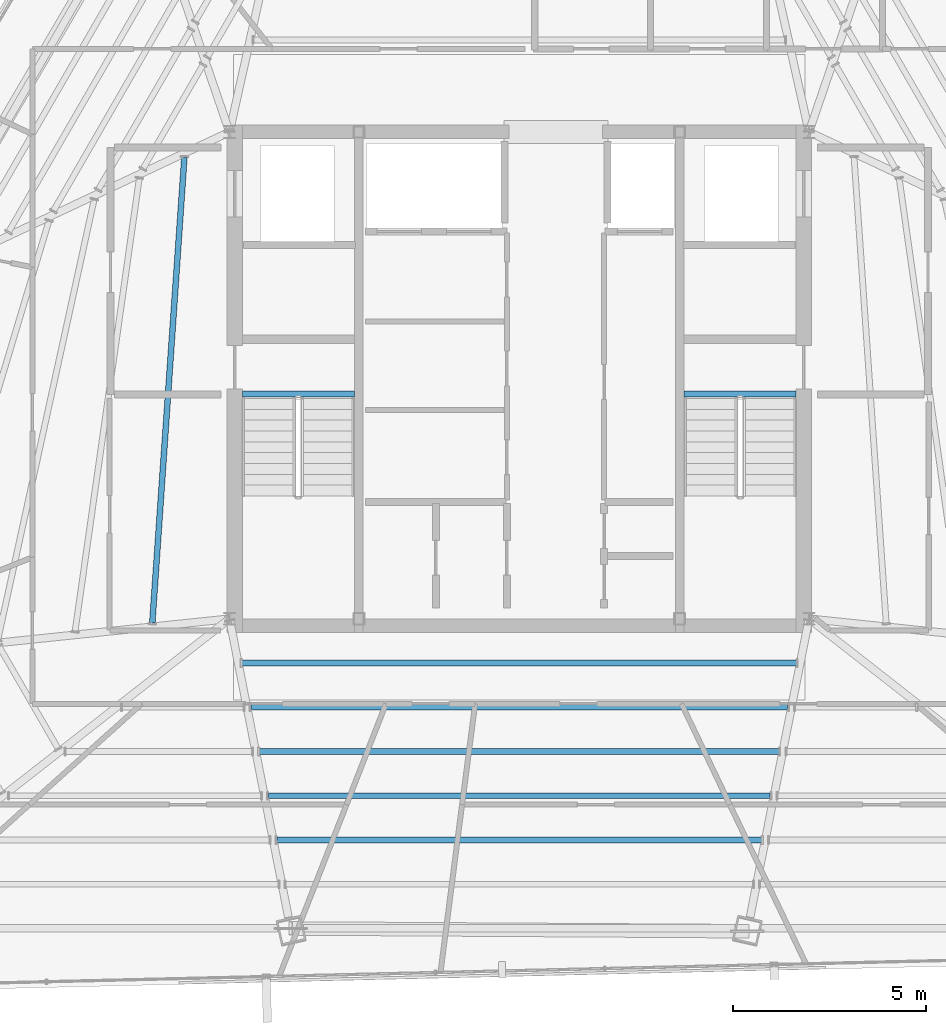
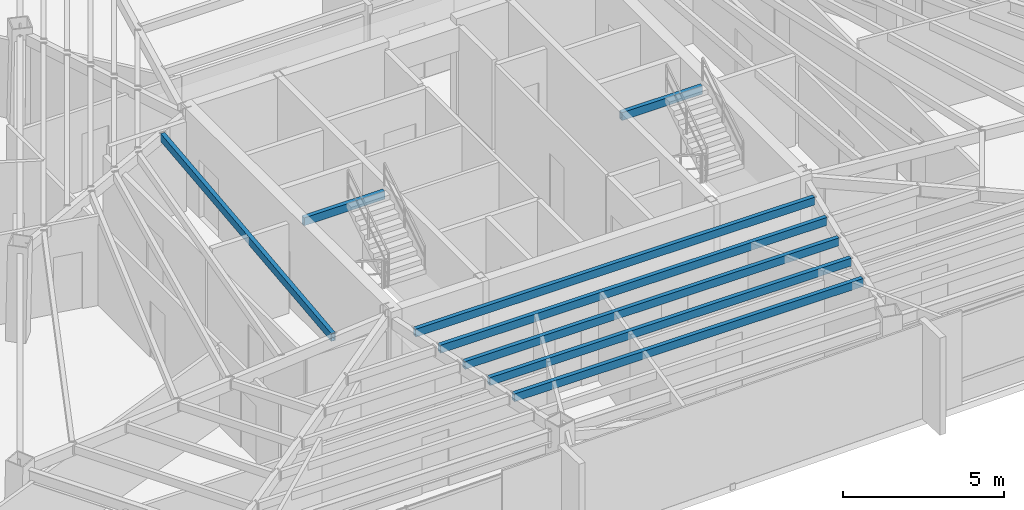
# One storey, part 14 of 47: 8 beams.
"""IFC4 building model written with IfcOpenShell, lengths in metres."""

from ifc_helpers import new_model, si_unit, direction, frame, origin, origin_2d, place, context, subcontext, project, spatial, hollow_rectangle, extrude, source, transform, mapped, material, material_profile, profile_set, type_object, type_shapes, element, save


model = new_model("IFC4")

# Units and contexts
model_context = context("Model", 3, precision=1e-05, world=origin(), true_north=direction((0.0, 1.0)))
body_context = subcontext(model_context, "Body", "Model", "MODEL_VIEW")
ifc_project = project(units=[si_unit("LENGTHUNIT", "METRE"), si_unit("AREAUNIT", "SQUARE_METRE"), si_unit("VOLUMEUNIT", "CUBIC_METRE"), si_unit("PLANEANGLEUNIT", "RADIAN"), si_unit("MASSUNIT", "GRAM", prefix="KILO")], contexts=[model_context])

# Site, building, storey
site_placement = place(None, origin())
site = spatial("IfcSite", under=ifc_project, at=site_placement, CompositionType="ELEMENT")
building_placement = place(site_placement, origin())
building = spatial("IfcBuilding", under=site, at=building_placement, Name="Caelisora Broadcast Tower", CompositionType="ELEMENT")
storey_placement = place(building_placement, frame((0.0, 0.0, 255.39990234375)))
storey = spatial("IfcBuildingStorey", under=building, at=storey_placement, Name="L67", CompositionType="ELEMENT", Elevation=255.39990234375)

# Beams
ifc_material = material(Name="Steel Grade 350 (AS/NZS 1163 C350L0)", Category="steel")
ifc_material_profile = material_profile(ifc_material, hollow_rectangle(XDim=0.14990234375, YDim=0.300048828125, WallThickness=0.010009765625, at=origin_2d()), Name="Steel Grade 350 (AS/NZS 1163 C350L0)")
ifc_profile_set = profile_set([ifc_material_profile], Name="Steel Grade 350 (AS/NZS 1163 C350L0)")
beam_type = type_object("IfcBeamType", Name="SB05", PredefinedType="JOIST", material=ifc_profile_set)
shared_shape_1 = source(origin(), body_context, "Body", "SweptSolid", [
    extrude(hollow_rectangle(XDim=0.14990234375, YDim=0.300048828125, WallThickness=0.010009765625, at=origin_2d()), origin(), (0.0, 0.0, 1.0), 2.89990234375),
])
for number, where, z_axis, x_axis, name in (
    (1, (30.840087890625, 23.219970703125, 3.25), (1.0, 0.0, 0.0), (0.0, 1.0, 0.0), "L67 beam SB05"),
    (2, (42.260009765625, 23.219970703125, 3.25), (1.0, 0.0, 0.0), (0.0, 1.0, 0.0), "L67 beam SB05"),
):
    element("IfcBeam", number, at=place(storey_placement, frame(where, z_axis=z_axis, x_axis=x_axis)), inside=storey, type_object=beam_type, Name=name, PredefinedType="JOIST", context=body_context, shape_type="MappedRepresentation", body=[
        mapped(shared_shape_1, transform((0.0, 0.0, 0.0), scale=1.0)),
    ])
shared_shape_2 = source(origin(), body_context, "Body", "SweptSolid", [
    extrude(hollow_rectangle(XDim=0.14990234375, YDim=0.300048828125, WallThickness=0.010009765625, at=origin_2d()), origin(), (0.0, 0.0, 1.0), 12.082763671875),
])
beam_1_placement = place(storey_placement, frame((29.3330078125, 29.343505859375, 3.25), z_axis=(-0.068759791227, -0.99763324479, 0.0), x_axis=(0.99763324479, -0.068759791227, 0.0)))
element("IfcBeam", 3, at=beam_1_placement, inside=storey, type_object=beam_type, Name="L67 beam SB05", PredefinedType="JOIST", context=body_context, shape_type="MappedRepresentation", body=[
    mapped(shared_shape_2, transform((0.0, 0.0, 0.0), scale=1.0)),
])
shared_shape_3 = source(origin(), body_context, "Body", "SweptSolid", [
    extrude(hollow_rectangle(XDim=0.14990234375, YDim=0.300048828125, WallThickness=0.010009765625, at=origin_2d()), origin(), (0.0, 0.0, 1.0), 14.349609375),
])
beam_2_placement = place(storey_placement, frame((30.8251953125, 16.2548828125, 3.25), z_axis=(1.0, 0.0, 0.0), x_axis=(0.0, 1.0, 0.0)))
element("IfcBeam", 4, at=beam_2_placement, inside=storey, type_object=beam_type, Name="L67 beam SB05", PredefinedType="JOIST", context=body_context, shape_type="MappedRepresentation", body=[
    mapped(shared_shape_3, transform((0.0, 0.0, 0.0), scale=1.0)),
])
shared_shape_4 = source(origin(), body_context, "Body", "SweptSolid", [
    extrude(hollow_rectangle(XDim=0.14990234375, YDim=0.300048828125, WallThickness=0.010009765625, at=origin_2d()), origin(), (0.0, 0.0, 1.0), 13.8974609375),
])
beam_3_placement = place(storey_placement, frame((31.05126953125, 15.10986328125, 3.25), z_axis=(1.0, 0.0, 0.0), x_axis=(0.0, 1.0, 0.0)))
element("IfcBeam", 5, at=beam_3_placement, inside=storey, type_object=beam_type, Name="L67 beam SB05", PredefinedType="JOIST", context=body_context, shape_type="MappedRepresentation", body=[
    mapped(shared_shape_4, transform((0.0, 0.0, 0.0), scale=1.0)),
])
shared_shape_5 = source(origin(), body_context, "Body", "SweptSolid", [
    extrude(hollow_rectangle(XDim=0.14990234375, YDim=0.300048828125, WallThickness=0.010009765625, at=origin_2d()), origin(), (0.0, 0.0, 1.0), 13.44482421875),
])
beam_4_placement = place(storey_placement, frame((31.277587890625, 13.964599609375, 3.25), z_axis=(1.0, 0.0, 0.0), x_axis=(0.0, 1.0, 0.0)))
element("IfcBeam", 6, at=beam_4_placement, inside=storey, type_object=beam_type, Name="L67 beam SB05", PredefinedType="JOIST", context=body_context, shape_type="MappedRepresentation", body=[
    mapped(shared_shape_5, transform((0.0, 0.0, 0.0), scale=1.0)),
])
shared_shape_6 = source(origin(), body_context, "Body", "SweptSolid", [
    extrude(hollow_rectangle(XDim=0.14990234375, YDim=0.300048828125, WallThickness=0.010009765625, at=origin_2d()), origin(), (0.0, 0.0, 1.0), 12.9921875),
])
beam_5_placement = place(storey_placement, frame((31.50390625, 12.819580078125, 3.25), z_axis=(1.0, 0.0, 0.0), x_axis=(0.0, 1.0, 0.0)))
element("IfcBeam", 7, at=beam_5_placement, inside=storey, type_object=beam_type, Name="L67 beam SB05", PredefinedType="JOIST", context=body_context, shape_type="MappedRepresentation", body=[
    mapped(shared_shape_6, transform((0.0, 0.0, 0.0), scale=1.0)),
])
shared_shape_7 = source(origin(), body_context, "Body", "SweptSolid", [
    extrude(hollow_rectangle(XDim=0.14990234375, YDim=0.300048828125, WallThickness=0.010009765625, at=origin_2d()), origin(), (0.0, 0.0, 1.0), 12.5400390625),
])
type_shapes(beam_type, [shared_shape_1, shared_shape_2, shared_shape_3, shared_shape_4, shared_shape_5, shared_shape_6, shared_shape_7])
beam_6_placement = place(storey_placement, frame((31.72998046875, 11.674560546875, 3.25), z_axis=(1.0, 0.0, 0.0), x_axis=(0.0, 1.0, 0.0)))
element("IfcBeam", 8, at=beam_6_placement, inside=storey, type_object=beam_type, Name="L67 beam SB05", PredefinedType="JOIST", context=body_context, shape_type="MappedRepresentation", body=[
    mapped(shared_shape_7, transform((0.0, 0.0, 0.0), scale=1.0)),
])

save(model, "model.ifc")
